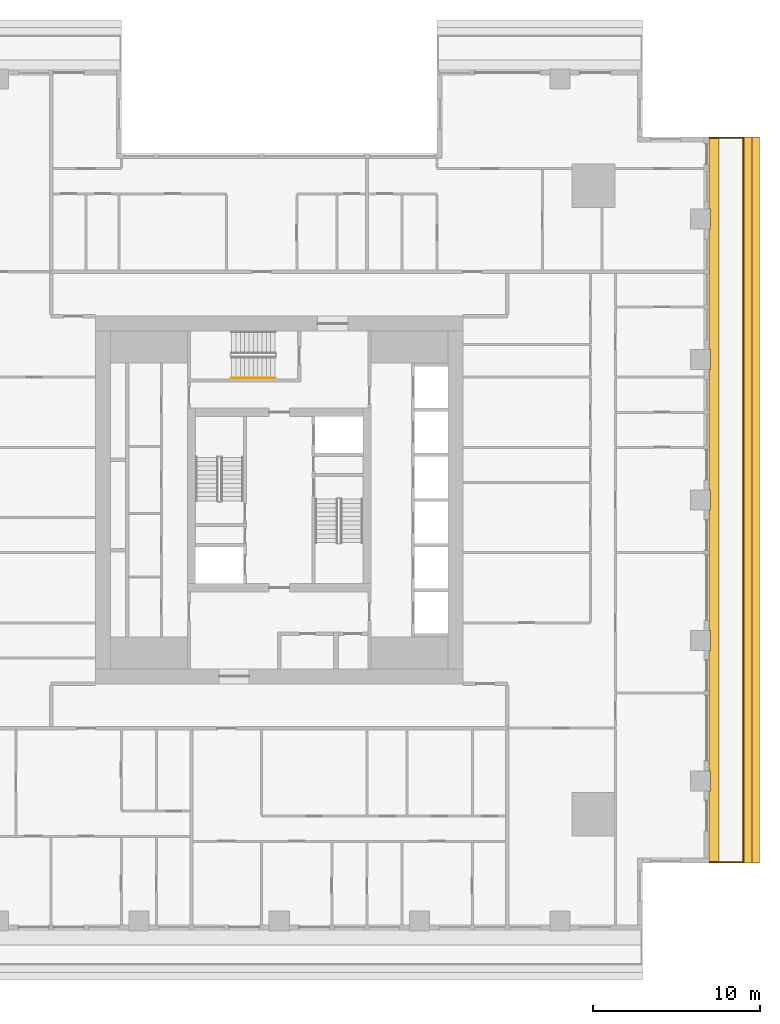
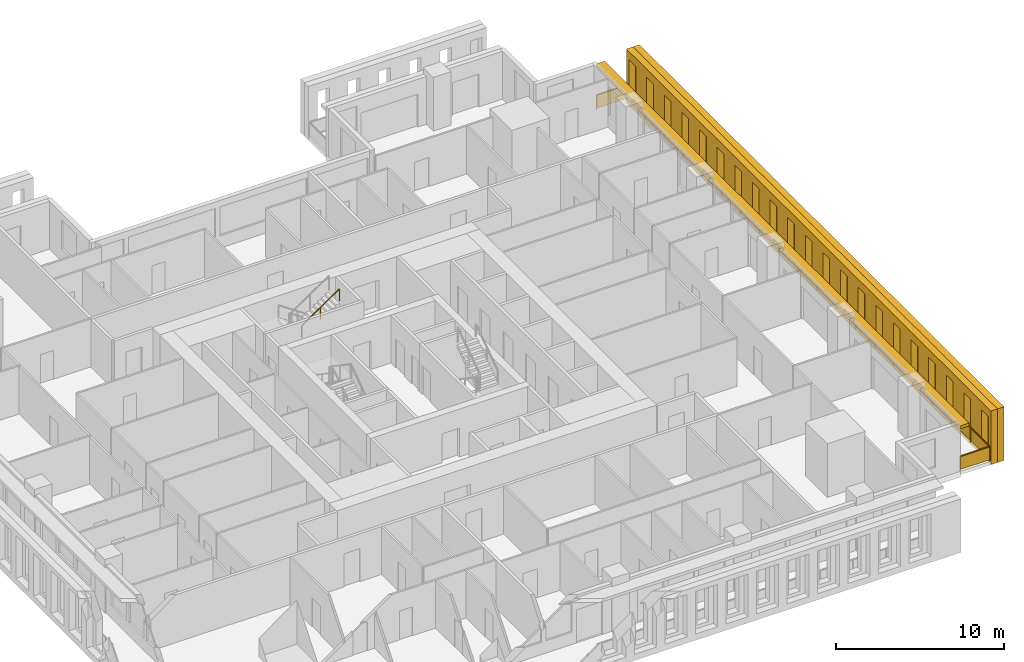
# One storey, part 13 of 15: 3 shading devices, 2 railings.
"""IFC4 building model written with IfcOpenShell, lengths in metres."""

from ifc_helpers import new_model, si_unit, direction, frame, origin, origin_2d, place, context, subcontext, project, spatial, polyline, rectangle, outline, extrude, material, layer, layer_set, type_object, element, save


model = new_model("IFC4")

# Units and contexts
model_context = context("Model", 3, precision=1e-05, world=origin(), true_north=direction((0.0, 1.0)))
body_context = subcontext(model_context, "Body", "Model", "MODEL_VIEW")
ifc_project = project(units=[si_unit("LENGTHUNIT", "METRE"), si_unit("AREAUNIT", "SQUARE_METRE"), si_unit("VOLUMEUNIT", "CUBIC_METRE"), si_unit("PLANEANGLEUNIT", "RADIAN"), si_unit("MASSUNIT", "GRAM", prefix="KILO")], contexts=[model_context])

# Site, building, storey
site_placement = place(None, origin())
site = spatial("IfcSite", under=ifc_project, at=site_placement, CompositionType="ELEMENT")
building_placement = place(site_placement, origin())
building = spatial("IfcBuilding", under=site, at=building_placement, Name="Khepri Terraces", CompositionType="ELEMENT")
storey_placement = place(building_placement, frame((0.0, 0.0, 161.10009765625)))
storey = spatial("IfcBuildingStorey", under=building, at=storey_placement, Name="L38", CompositionType="ELEMENT", Elevation=161.10009765625)

# Railings
ifc_material_1 = material(Name="Stainless steel grade 316", Category="steel")
railing_type_1 = type_object("IfcRailingType", Name="GRD-BAL-1100", PredefinedType="GUARDRAIL", material=ifc_material_1)
railing_1_placement = place(storey_placement, frame((25.719970703125, -21.669921875, 0.0)))
element("IfcRailing", 1, at=railing_1_placement, inside=storey, type_object=railing_type_1, Name="Balcony guard L38 E", PredefinedType="GUARDRAIL", context=body_context, shape_type="SweptSolid", body=[
    extrude(rectangle(XDim=0.050048828125, YDim=0.06005859375, at=origin_2d()), frame((0.0, 0.0, 1.070068359375), z_axis=(1.0, 0.0, 0.0), x_axis=(0.0, 1.0, 0.0)), (0.0, 0.0, 1.0), 2.050048828125),
    extrude(rectangle(XDim=2.0, YDim=0.011962890625, at=origin_2d()), frame((1.02490234375, 0.0, 0.10009765625), z_axis=(0.0, 0.0, 1.0), x_axis=(1.0, 0.0, 0.0)), (0.0, 0.0, 1.0), 0.93994140625),
    extrude(rectangle(XDim=0.050048828125, YDim=0.06005859375, at=origin_2d()), frame((2.050048828125, 0.0, 1.070068359375), z_axis=(0.0, 1.0, 0.0), x_axis=(-1.0, 0.0, 0.0)), (0.0, 0.0, 1.0), 43.33984375),
    extrude(rectangle(XDim=2.23095703125, YDim=0.011962890625, at=origin_2d()), frame((2.050048828125, 1.140625, 0.10009765625), z_axis=(0.0, 0.0, 1.0), x_axis=(0.0, 1.0, 0.0)), (0.0, 0.0, 1.0), 0.93994140625),
    extrude(rectangle(XDim=2.23095703125, YDim=0.011962890625, at=origin_2d()), frame((2.050048828125, 3.421630859375, 0.10009765625), z_axis=(0.0, 0.0, 1.0), x_axis=(0.0, 1.0, 0.0)), (0.0, 0.0, 1.0), 0.93994140625),
    extrude(rectangle(XDim=2.23095703125, YDim=0.011962890625, at=origin_2d()), frame((2.050048828125, 5.70263671875, 0.10009765625), z_axis=(0.0, 0.0, 1.0), x_axis=(0.0, 1.0, 0.0)), (0.0, 0.0, 1.0), 0.93994140625),
    extrude(rectangle(XDim=2.23095703125, YDim=0.011962890625, at=origin_2d()), frame((2.050048828125, 7.983642578125, 0.10009765625), z_axis=(0.0, 0.0, 1.0), x_axis=(0.0, 1.0, 0.0)), (0.0, 0.0, 1.0), 0.93994140625),
    extrude(rectangle(XDim=2.23095703125, YDim=0.011962890625, at=origin_2d()), frame((2.050048828125, 10.2646484375, 0.10009765625), z_axis=(0.0, 0.0, 1.0), x_axis=(0.0, 1.0, 0.0)), (0.0, 0.0, 1.0), 0.93994140625),
    extrude(rectangle(XDim=2.23095703125, YDim=0.011962890625, at=origin_2d()), frame((2.050048828125, 12.545654296875, 0.10009765625), z_axis=(0.0, 0.0, 1.0), x_axis=(0.0, 1.0, 0.0)), (0.0, 0.0, 1.0), 0.93994140625),
    extrude(rectangle(XDim=2.23095703125, YDim=0.011962890625, at=origin_2d()), frame((2.050048828125, 14.826904296875, 0.10009765625), z_axis=(0.0, 0.0, 1.0), x_axis=(0.0, 1.0, 0.0)), (0.0, 0.0, 1.0), 0.93994140625),
    extrude(rectangle(XDim=2.23095703125, YDim=0.011962890625, at=origin_2d()), frame((2.050048828125, 17.10791015625, 0.10009765625), z_axis=(0.0, 0.0, 1.0), x_axis=(0.0, 1.0, 0.0)), (0.0, 0.0, 1.0), 0.93994140625),
    extrude(rectangle(XDim=2.23095703125, YDim=0.011962890625, at=origin_2d()), frame((2.050048828125, 19.388916015625, 0.10009765625), z_axis=(0.0, 0.0, 1.0), x_axis=(0.0, 1.0, 0.0)), (0.0, 0.0, 1.0), 0.93994140625),
    extrude(rectangle(XDim=2.23095703125, YDim=0.011962890625, at=origin_2d()), frame((2.050048828125, 21.669921875, 0.10009765625), z_axis=(0.0, 0.0, 1.0), x_axis=(0.0, 1.0, 0.0)), (0.0, 0.0, 1.0), 0.93994140625),
    extrude(rectangle(XDim=2.23095703125, YDim=0.011962890625, at=origin_2d()), frame((2.050048828125, 23.950927734375, 0.10009765625), z_axis=(0.0, 0.0, 1.0), x_axis=(0.0, 1.0, 0.0)), (0.0, 0.0, 1.0), 0.93994140625),
    extrude(rectangle(XDim=2.23095703125, YDim=0.011962890625, at=origin_2d()), frame((2.050048828125, 26.23193359375, 0.10009765625), z_axis=(0.0, 0.0, 1.0), x_axis=(0.0, 1.0, 0.0)), (0.0, 0.0, 1.0), 0.93994140625),
    extrude(rectangle(XDim=2.23095703125, YDim=0.011962890625, at=origin_2d()), frame((2.050048828125, 28.512939453125, 0.10009765625), z_axis=(0.0, 0.0, 1.0), x_axis=(0.0, 1.0, 0.0)), (0.0, 0.0, 1.0), 0.93994140625),
    extrude(rectangle(XDim=2.23095703125, YDim=0.011962890625, at=origin_2d()), frame((2.050048828125, 30.794189453125, 0.10009765625), z_axis=(0.0, 0.0, 1.0), x_axis=(0.0, 1.0, 0.0)), (0.0, 0.0, 1.0), 0.93994140625),
    extrude(rectangle(XDim=2.23095703125, YDim=0.011962890625, at=origin_2d()), frame((2.050048828125, 33.0751953125, 0.10009765625), z_axis=(0.0, 0.0, 1.0), x_axis=(0.0, 1.0, 0.0)), (0.0, 0.0, 1.0), 0.93994140625),
    extrude(rectangle(XDim=2.23095703125, YDim=0.011962890625, at=origin_2d()), frame((2.050048828125, 35.356201171875, 0.10009765625), z_axis=(0.0, 0.0, 1.0), x_axis=(0.0, 1.0, 0.0)), (0.0, 0.0, 1.0), 0.93994140625),
    extrude(rectangle(XDim=2.23095703125, YDim=0.011962890625, at=origin_2d()), frame((2.050048828125, 37.63720703125, 0.10009765625), z_axis=(0.0, 0.0, 1.0), x_axis=(0.0, 1.0, 0.0)), (0.0, 0.0, 1.0), 0.93994140625),
    extrude(rectangle(XDim=2.23095703125, YDim=0.011962890625, at=origin_2d()), frame((2.050048828125, 39.918212890625, 0.10009765625), z_axis=(0.0, 0.0, 1.0), x_axis=(0.0, 1.0, 0.0)), (0.0, 0.0, 1.0), 0.93994140625),
    extrude(rectangle(XDim=2.23095703125, YDim=0.011962890625, at=origin_2d()), frame((2.050048828125, 42.19921875, 0.10009765625), z_axis=(0.0, 0.0, 1.0), x_axis=(0.0, 1.0, 0.0)), (0.0, 0.0, 1.0), 0.93994140625),
    extrude(rectangle(XDim=0.050048828125, YDim=0.06005859375, at=origin_2d()), frame((2.050048828125, 43.33984375, 1.070068359375), z_axis=(-1.0, 0.0, 0.0), x_axis=(0.0, -1.0, 0.0)), (0.0, 0.0, 1.0), 2.050048828125),
    extrude(rectangle(XDim=2.0, YDim=0.011962890625, at=origin_2d()), frame((1.02490234375, 43.33984375, 0.10009765625), z_axis=(0.0, 0.0, 1.0), x_axis=(-1.0, 0.0, 0.0)), (0.0, 0.0, 1.0), 0.93994140625),
    extrude(rectangle(XDim=0.050048828125, YDim=0.050048828125, at=origin_2d()), origin(), (0.0, 0.0, 1.0), 1.0400390625),
    extrude(rectangle(XDim=0.050048828125, YDim=0.050048828125, at=origin_2d()), frame((2.050048828125, 0.0, 0.0)), (0.0, 0.0, 1.0), 1.0400390625),
    extrude(rectangle(XDim=0.050048828125, YDim=0.050048828125, at=origin_2d()), frame((2.050048828125, 2.281005859375, 0.0)), (0.0, 0.0, 1.0), 1.0400390625),
    extrude(rectangle(XDim=0.050048828125, YDim=0.050048828125, at=origin_2d()), frame((2.050048828125, 4.56201171875, 0.0)), (0.0, 0.0, 1.0), 1.0400390625),
    extrude(rectangle(XDim=0.050048828125, YDim=0.050048828125, at=origin_2d()), frame((2.050048828125, 6.843017578125, 0.0)), (0.0, 0.0, 1.0), 1.0400390625),
    extrude(rectangle(XDim=0.050048828125, YDim=0.050048828125, at=origin_2d()), frame((2.050048828125, 9.124267578125, 0.0)), (0.0, 0.0, 1.0), 1.0400390625),
    extrude(rectangle(XDim=0.050048828125, YDim=0.050048828125, at=origin_2d()), frame((2.050048828125, 11.4052734375, 0.0)), (0.0, 0.0, 1.0), 1.0400390625),
    extrude(rectangle(XDim=0.050048828125, YDim=0.050048828125, at=origin_2d()), frame((2.050048828125, 13.686279296875, 0.0)), (0.0, 0.0, 1.0), 1.0400390625),
    extrude(rectangle(XDim=0.050048828125, YDim=0.050048828125, at=origin_2d()), frame((2.050048828125, 15.96728515625, 0.0)), (0.0, 0.0, 1.0), 1.0400390625),
    extrude(rectangle(XDim=0.050048828125, YDim=0.050048828125, at=origin_2d()), frame((2.050048828125, 18.248291015625, 0.0)), (0.0, 0.0, 1.0), 1.0400390625),
    extrude(rectangle(XDim=0.050048828125, YDim=0.050048828125, at=origin_2d()), frame((2.050048828125, 20.529296875, 0.0)), (0.0, 0.0, 1.0), 1.0400390625),
    extrude(rectangle(XDim=0.050048828125, YDim=0.050048828125, at=origin_2d()), frame((2.050048828125, 22.810546875, 0.0)), (0.0, 0.0, 1.0), 1.0400390625),
    extrude(rectangle(XDim=0.050048828125, YDim=0.050048828125, at=origin_2d()), frame((2.050048828125, 25.091552734375, 0.0)), (0.0, 0.0, 1.0), 1.0400390625),
    extrude(rectangle(XDim=0.050048828125, YDim=0.050048828125, at=origin_2d()), frame((2.050048828125, 27.37255859375, 0.0)), (0.0, 0.0, 1.0), 1.0400390625),
    extrude(rectangle(XDim=0.050048828125, YDim=0.050048828125, at=origin_2d()), frame((2.050048828125, 29.653564453125, 0.0)), (0.0, 0.0, 1.0), 1.0400390625),
    extrude(rectangle(XDim=0.050048828125, YDim=0.050048828125, at=origin_2d()), frame((2.050048828125, 31.9345703125, 0.0)), (0.0, 0.0, 1.0), 1.0400390625),
    extrude(rectangle(XDim=0.050048828125, YDim=0.050048828125, at=origin_2d()), frame((2.050048828125, 34.215576171875, 0.0)), (0.0, 0.0, 1.0), 1.0400390625),
    extrude(rectangle(XDim=0.050048828125, YDim=0.050048828125, at=origin_2d()), frame((2.050048828125, 36.496826171875, 0.0)), (0.0, 0.0, 1.0), 1.0400390625),
    extrude(rectangle(XDim=0.050048828125, YDim=0.050048828125, at=origin_2d()), frame((2.050048828125, 38.77783203125, 0.0)), (0.0, 0.0, 1.0), 1.0400390625),
    extrude(rectangle(XDim=0.050048828125, YDim=0.050048828125, at=origin_2d()), frame((2.050048828125, 41.058837890625, 0.0)), (0.0, 0.0, 1.0), 1.0400390625),
    extrude(rectangle(XDim=0.050048828125, YDim=0.050048828125, at=origin_2d()), frame((2.050048828125, 43.33984375, 0.0)), (0.0, 0.0, 1.0), 1.0400390625),
    extrude(rectangle(XDim=0.050048828125, YDim=0.050048828125, at=origin_2d()), frame((0.0, 43.33984375, 0.0)), (0.0, 0.0, 1.0), 1.0400390625),
])
ifc_material_2 = material(Name="Stainless steel 316", Category="steel")
railing_type_2 = type_object("IfcRailingType", Name="RL-CORE-HANDRAIL", PredefinedType="HANDRAIL", material=ifc_material_2)
railing_2_placement = place(storey_placement, frame((-2.85009765625, 7.300048828125, 2.127197265625)))
element("IfcRailing", 2, at=railing_2_placement, inside=storey, type_object=railing_type_2, Name="L38 ST-3 stair handrail 2", PredefinedType="HANDRAIL", context=body_context, shape_type="SweptSolid", body=[
    extrude(rectangle(XDim=0.050048828125, YDim=0.050048828125, at=origin_2d()), frame((0.0, 0.0, 0.875), z_axis=(0.826240473404, 0.0, 0.563317565952), x_axis=(0.0, 1.0, 0.0)), (0.0, 0.0, 1.0), 3.14697265625),
    extrude(rectangle(XDim=0.050048828125, YDim=0.050048828125, at=origin_2d()), origin(), (0.0, 0.0, 1.0), 0.849853515625),
    extrude(rectangle(XDim=0.050048828125, YDim=0.050048828125, at=origin_2d()), frame((1.300048828125, 0.0, 0.88623046875)), (0.0, 0.0, 1.0), 0.849853515625),
    extrude(rectangle(XDim=0.050048828125, YDim=0.050048828125, at=origin_2d()), frame((2.60009765625, 0.0, 1.772705078125)), (0.0, 0.0, 1.0), 0.849853515625),
])

# Shading devices
ifc_material_3 = material(Name="Precast concrete C50/60 warm stone", Category="masonry")
shading_device_type_1 = type_object("IfcShadingDeviceType", Name="SCR-CELL-INNER-450", PredefinedType="USERDEFINED", material=ifc_material_3)
shading_device_1_placement = place(storey_placement, frame((27.820068359375, -21.719970703125, -0.25), z_axis=(1.0, 0.0, 0.0), x_axis=(0.0, 1.0, 0.0)))
element("IfcShadingDevice", 3, at=shading_device_1_placement, inside=storey, type_object=shading_device_type_1, Name="Cell screen L38 E in", ObjectType="SCREEN", PredefinedType="USERDEFINED", context=body_context, shape_type="SweptSolid", body=[
    extrude(outline(polyline([(0.0, 0.0), (43.43994140625, 0.0), (43.43994140625, 3.89990234375), (0.0, 3.89990234375), (0.0, 0.0)]), holes=[polyline([(0.318359375, 0.699951171875), (1.12158203125, 0.699951171875), (1.12158203125, 3.300048828125), (0.318359375, 3.300048828125), (0.318359375, 0.699951171875)]), polyline([(2.41845703125, 0.699951171875), (3.2216796875, 0.699951171875), (3.2216796875, 3.300048828125), (2.41845703125, 3.300048828125), (2.41845703125, 0.699951171875)]), polyline([(4.518310546875, 0.699951171875), (5.321533203125, 0.699951171875), (5.321533203125, 3.300048828125), (4.518310546875, 3.300048828125), (4.518310546875, 0.699951171875)]), polyline([(6.618408203125, 0.699951171875), (7.421630859375, 0.699951171875), (7.421630859375, 3.300048828125), (6.618408203125, 3.300048828125), (6.618408203125, 0.699951171875)]), polyline([(8.718505859375, 0.699951171875), (9.521484375, 0.699951171875), (9.521484375, 3.300048828125), (8.718505859375, 3.300048828125), (8.718505859375, 0.699951171875)]), polyline([(10.818359375, 0.699951171875), (11.62158203125, 0.699951171875), (11.62158203125, 3.300048828125), (10.818359375, 3.300048828125), (10.818359375, 0.699951171875)]), polyline([(12.91845703125, 0.699951171875), (13.7216796875, 0.699951171875), (13.7216796875, 3.300048828125), (12.91845703125, 3.300048828125), (12.91845703125, 0.699951171875)]), polyline([(15.018310546875, 0.699951171875), (15.821533203125, 0.699951171875), (15.821533203125, 3.300048828125), (15.018310546875, 3.300048828125), (15.018310546875, 0.699951171875)]), polyline([(17.118408203125, 0.699951171875), (17.921630859375, 0.699951171875), (17.921630859375, 3.300048828125), (17.118408203125, 3.300048828125), (17.118408203125, 0.699951171875)]), polyline([(19.218505859375, 0.699951171875), (20.021484375, 0.699951171875), (20.021484375, 3.300048828125), (19.218505859375, 3.300048828125), (19.218505859375, 0.699951171875)]), polyline([(21.318359375, 0.699951171875), (22.12158203125, 0.699951171875), (22.12158203125, 3.300048828125), (21.318359375, 3.300048828125), (21.318359375, 0.699951171875)]), polyline([(23.41845703125, 0.699951171875), (24.2216796875, 0.699951171875), (24.2216796875, 3.300048828125), (23.41845703125, 3.300048828125), (23.41845703125, 0.699951171875)]), polyline([(25.518310546875, 0.699951171875), (26.321533203125, 0.699951171875), (26.321533203125, 3.300048828125), (25.518310546875, 3.300048828125), (25.518310546875, 0.699951171875)]), polyline([(27.618408203125, 0.699951171875), (28.421630859375, 0.699951171875), (28.421630859375, 3.300048828125), (27.618408203125, 3.300048828125), (27.618408203125, 0.699951171875)]), polyline([(29.718505859375, 0.699951171875), (30.521484375, 0.699951171875), (30.521484375, 3.300048828125), (29.718505859375, 3.300048828125), (29.718505859375, 0.699951171875)]), polyline([(31.818359375, 0.699951171875), (32.62158203125, 0.699951171875), (32.62158203125, 3.300048828125), (31.818359375, 3.300048828125), (31.818359375, 0.699951171875)]), polyline([(33.91845703125, 0.699951171875), (34.7216796875, 0.699951171875), (34.7216796875, 3.300048828125), (33.91845703125, 3.300048828125), (33.91845703125, 0.699951171875)]), polyline([(36.018310546875, 0.699951171875), (36.821533203125, 0.699951171875), (36.821533203125, 3.300048828125), (36.018310546875, 3.300048828125), (36.018310546875, 0.699951171875)]), polyline([(38.118408203125, 0.699951171875), (38.921630859375, 0.699951171875), (38.921630859375, 3.300048828125), (38.118408203125, 3.300048828125), (38.118408203125, 0.699951171875)]), polyline([(40.218505859375, 0.699951171875), (41.021484375, 0.699951171875), (41.021484375, 3.300048828125), (40.218505859375, 3.300048828125), (40.218505859375, 0.699951171875)]), polyline([(42.318359375, 0.699951171875), (43.12158203125, 0.699951171875), (43.12158203125, 3.300048828125), (42.318359375, 3.300048828125), (42.318359375, 0.699951171875)])]), origin(), (0.0, 0.0, 1.0), 0.449951171875),
])
shading_device_type_2 = type_object("IfcShadingDeviceType", Name="SCR-CELL-OUTER-450", PredefinedType="USERDEFINED", material=ifc_material_3)
shading_device_2_placement = place(storey_placement, frame((28.27001953125, -21.719970703125, -0.25), z_axis=(1.0, 0.0, 0.0), x_axis=(0.0, 1.0, 0.0)))
element("IfcShadingDevice", 4, at=shading_device_2_placement, inside=storey, type_object=shading_device_type_2, Name="Cell screen L38 E out", ObjectType="SCREEN", PredefinedType="USERDEFINED", context=body_context, shape_type="SweptSolid", body=[
    extrude(outline(polyline([(0.0, 0.0), (43.43994140625, 0.0), (43.43994140625, 3.89990234375), (0.0, 3.89990234375), (0.0, 0.0)]), holes=[polyline([(2.068359375, 0.449951171875), (3.571533203125, 0.449951171875), (3.571533203125, 3.550048828125), (2.068359375, 3.550048828125), (2.068359375, 0.449951171875)]), polyline([(4.16845703125, 0.449951171875), (5.671630859375, 0.449951171875), (5.671630859375, 3.550048828125), (4.16845703125, 3.550048828125), (4.16845703125, 0.449951171875)]), polyline([(6.268310546875, 0.449951171875), (7.771484375, 0.449951171875), (7.771484375, 3.550048828125), (6.268310546875, 3.550048828125), (6.268310546875, 0.449951171875)]), polyline([(8.368408203125, 0.449951171875), (9.87158203125, 0.449951171875), (9.87158203125, 3.550048828125), (8.368408203125, 3.550048828125), (8.368408203125, 0.449951171875)]), polyline([(10.468505859375, 0.449951171875), (11.9716796875, 0.449951171875), (11.9716796875, 3.550048828125), (10.468505859375, 3.550048828125), (10.468505859375, 0.449951171875)]), polyline([(12.568359375, 0.449951171875), (14.071533203125, 0.449951171875), (14.071533203125, 3.550048828125), (12.568359375, 3.550048828125), (12.568359375, 0.449951171875)]), polyline([(14.66845703125, 0.449951171875), (16.171630859375, 0.449951171875), (16.171630859375, 3.550048828125), (14.66845703125, 3.550048828125), (14.66845703125, 0.449951171875)]), polyline([(16.768310546875, 0.449951171875), (18.271484375, 0.449951171875), (18.271484375, 3.550048828125), (16.768310546875, 3.550048828125), (16.768310546875, 0.449951171875)]), polyline([(18.868408203125, 0.449951171875), (20.37158203125, 0.449951171875), (20.37158203125, 3.550048828125), (18.868408203125, 3.550048828125), (18.868408203125, 0.449951171875)]), polyline([(20.968505859375, 0.449951171875), (22.4716796875, 0.449951171875), (22.4716796875, 3.550048828125), (20.968505859375, 3.550048828125), (20.968505859375, 0.449951171875)]), polyline([(23.068359375, 0.449951171875), (24.571533203125, 0.449951171875), (24.571533203125, 3.550048828125), (23.068359375, 3.550048828125), (23.068359375, 0.449951171875)]), polyline([(25.16845703125, 0.449951171875), (26.671630859375, 0.449951171875), (26.671630859375, 3.550048828125), (25.16845703125, 3.550048828125), (25.16845703125, 0.449951171875)]), polyline([(27.268310546875, 0.449951171875), (28.771484375, 0.449951171875), (28.771484375, 3.550048828125), (27.268310546875, 3.550048828125), (27.268310546875, 0.449951171875)]), polyline([(29.368408203125, 0.449951171875), (30.87158203125, 0.449951171875), (30.87158203125, 3.550048828125), (29.368408203125, 3.550048828125), (29.368408203125, 0.449951171875)]), polyline([(31.468505859375, 0.449951171875), (32.9716796875, 0.449951171875), (32.9716796875, 3.550048828125), (31.468505859375, 3.550048828125), (31.468505859375, 0.449951171875)]), polyline([(33.568359375, 0.449951171875), (35.071533203125, 0.449951171875), (35.071533203125, 3.550048828125), (33.568359375, 3.550048828125), (33.568359375, 0.449951171875)]), polyline([(35.66845703125, 0.449951171875), (37.171630859375, 0.449951171875), (37.171630859375, 3.550048828125), (35.66845703125, 3.550048828125), (35.66845703125, 0.449951171875)]), polyline([(37.768310546875, 0.449951171875), (39.271484375, 0.449951171875), (39.271484375, 3.550048828125), (37.768310546875, 3.550048828125), (37.768310546875, 0.449951171875)]), polyline([(39.868408203125, 0.449951171875), (41.37158203125, 0.449951171875), (41.37158203125, 3.550048828125), (39.868408203125, 3.550048828125), (39.868408203125, 0.449951171875)])]), origin(), (0.0, 0.0, 1.0), 0.449951171875),
])
ifc_layer = layer(ifc_material_3, 0.199951171875, Name="Precast concrete C50/60 warm stone", Category="masonry")
ifc_layer_set = layer_set([ifc_layer], Name="Precast concrete C50/60 warm stone")
shading_device_type_3 = type_object("IfcShadingDeviceType", Name="SSH-BAND-STONE-200-N", PredefinedType="USERDEFINED", material=ifc_layer_set)
shading_device_3_placement = place(storey_placement, frame((0.0, 0.0, 3.099853515625)))
element("IfcShadingDevice", 5, at=shading_device_3_placement, inside=storey, type_object=shading_device_type_3, Name="Sunshade band L38 E", ObjectType="SUNSHADE", PredefinedType="USERDEFINED", context=body_context, shape_type="SweptSolid", body=[
    extrude(outline(polyline([(25.719970703125, -17.39990234375), (25.719970703125, -21.719970703125), (26.320068359375, -21.719970703125), (26.320068359375, 21.719970703125), (25.719970703125, 21.719970703125), (25.719970703125, 17.39990234375), (25.800048828125, 17.39990234375), (25.800048828125, 16.199951171875), (25.719970703125, 16.199951171875), (25.719970703125, 9.0), (25.800048828125, 9.0), (25.800048828125, 7.800048828125), (25.719970703125, 7.800048828125), (25.719970703125, 0.60009765625), (25.800048828125, 0.60009765625), (25.800048828125, -0.60009765625), (25.719970703125, -0.60009765625), (25.719970703125, -7.800048828125), (25.800048828125, -7.800048828125), (25.800048828125, -9.0), (25.719970703125, -9.0), (25.719970703125, -16.199951171875), (25.800048828125, -16.199951171875), (25.800048828125, -17.39990234375), (25.719970703125, -17.39990234375)])), origin(), (0.0, 0.0, 1.0), 0.199951171875),
])

save(model, "model.ifc")
